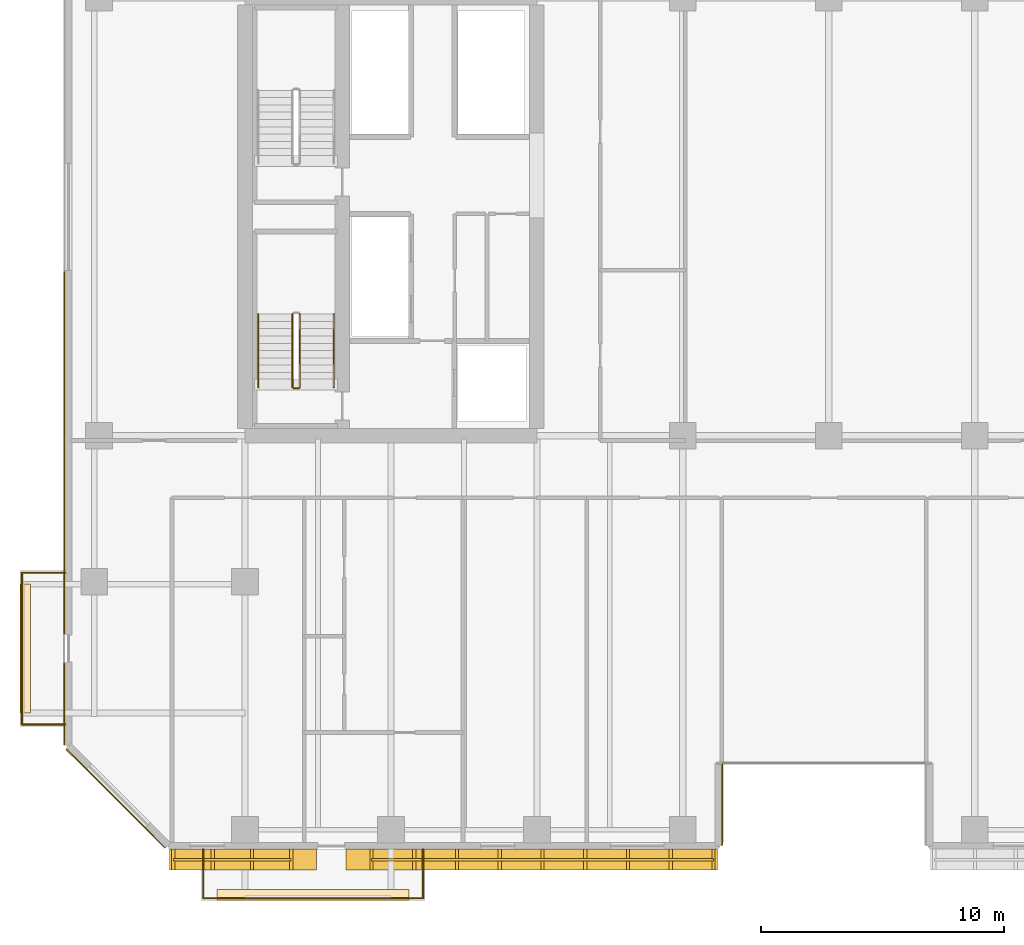
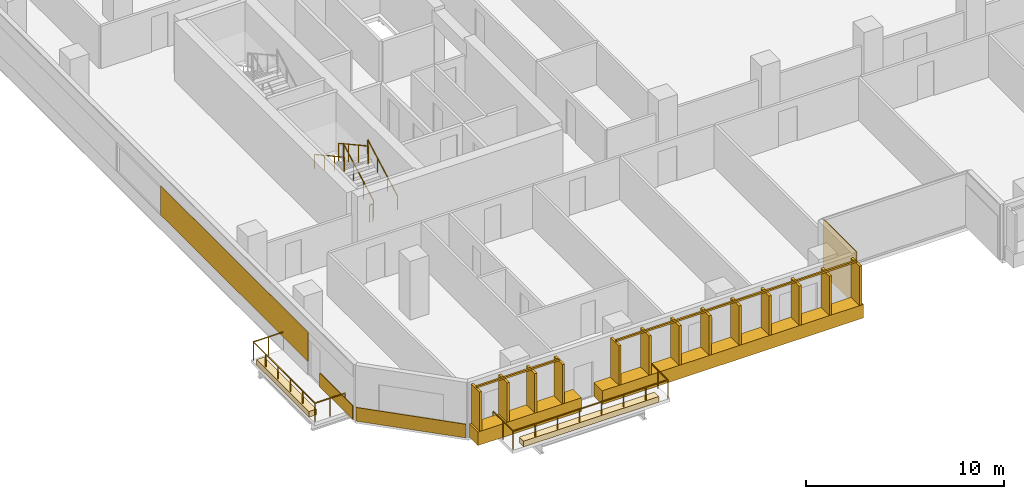
# One storey, part 18 of 26: 9 railings, 8 coverings.
"""IFC4 building model written with IfcOpenShell, lengths in metres."""

from ifc_helpers import new_model, si_unit, direction, frame, origin, origin_2d, place, context, subcontext, project, spatial, polyline, rectangle, outline, extrude, material, layer, layer_set, type_object, element, save


model = new_model("IFC4")

# Units and contexts
model_context = context("Model", 3, precision=1e-05, world=origin(), true_north=direction((0.0, 1.0)))
body_context = subcontext(model_context, "Body", "Model", "MODEL_VIEW")
ifc_project = project(units=[si_unit("LENGTHUNIT", "METRE"), si_unit("AREAUNIT", "SQUARE_METRE"), si_unit("VOLUMEUNIT", "CUBIC_METRE"), si_unit("PLANEANGLEUNIT", "RADIAN"), si_unit("MASSUNIT", "GRAM", prefix="KILO")], contexts=[model_context])

# Site, building, storey
site_placement = place(None, origin())
site = spatial("IfcSite", under=ifc_project, at=site_placement, CompositionType="ELEMENT")
building_placement = place(site_placement, origin())
building = spatial("IfcBuilding", under=site, at=building_placement, Name="Tanjung Sevakor Pilgrim Tower", CompositionType="ELEMENT")
storey_placement = place(building_placement, frame((0.0, 0.0, 66.0)))
storey = spatial("IfcBuildingStorey", under=building, at=storey_placement, Name="L18", CompositionType="ELEMENT", Elevation=66.0)

# Coverings
ifc_material_1 = material(Name="Reconstructed Limestone Cladding", Category="masonry")
ifc_layer_1 = layer(ifc_material_1, 0.044921875)
ifc_layer_set_1 = layer_set([ifc_layer_1], Name="COV-CLAD-LIMESTONE")
covering_type_1 = type_object("IfcCoveringType", Name="COV-CLAD-LIMESTONE", PredefinedType="CLADDING", material=ifc_layer_set_1)
covering_1_placement = place(storey_placement, frame((23.9189453125, 7.169921875, 0.009765625), z_axis=(0.0, 0.0, 1.0), x_axis=(1.0, 0.0, 0.0)))
element("IfcCovering", 1, at=covering_1_placement, inside=storey, type_object=covering_type_1, Name="L18 Warm Limestone Sill Spandrel EW-L18-MAIN-1-1", PredefinedType="CLADDING", context=body_context, shape_type="SweptSolid", body=[
    extrude(rectangle(XDim=6.0419921875, YDim=0.860107421875, at=origin_2d()), origin(), (0.0, 0.0, 1.0), 0.840087890625),
])
covering_2_placement = place(storey_placement, frame((35.7900390625, 7.169921875, 0.009765625), z_axis=(0.0, 0.0, 1.0), x_axis=(1.0, 0.0, 0.0)))
element("IfcCovering", 2, at=covering_2_placement, inside=storey, type_object=covering_type_1, Name="L18 Warm Limestone Sill Spandrel EW-L18-MAIN-1-2", PredefinedType="CLADDING", context=body_context, shape_type="SweptSolid", body=[
    extrude(rectangle(XDim=15.260009765625, YDim=0.860107421875, at=origin_2d()), origin(), (0.0, 0.0, 1.0), 0.840087890625),
])
covering_3_placement = place(storey_placement, frame((43.62255859375, 9.43994140625, 0.02001953125), z_axis=(0.0, 0.0, 1.0), x_axis=(0.0, 1.0, 0.0)))
element("IfcCovering", 3, at=covering_3_placement, inside=storey, type_object=covering_type_1, Name="L18 Warm Limestone Wall Cladding EW-L18-MAIN-2", PredefinedType="CLADDING", context=body_context, shape_type="SweptSolid", body=[
    extrude(rectangle(XDim=3.360107421875, YDim=0.044921875, at=origin_2d()), origin(), (0.0, 0.0, 1.0), 3.3701171875),
])
covering_4_placement = place(storey_placement, frame((16.577392578125, 13.569091796875, 0.009765625), z_axis=(0.0, 0.0, 1.0), x_axis=(0.0, -1.0, 0.0)))
element("IfcCovering", 4, at=covering_4_placement, inside=storey, type_object=covering_type_1, Name="L18 Warm Limestone Sill Spandrel EW-L18-MAIN-15-2", PredefinedType="CLADDING", context=body_context, shape_type="SweptSolid", body=[
    extrude(rectangle(XDim=3.342041015625, YDim=0.044921875, at=origin_2d()), origin(), (0.0, 0.0, 1.0), 0.840087890625),
])
covering_5_placement = place(storey_placement, frame((16.577392578125, 23.89990234375, 0.849853515625), z_axis=(0.0, 0.0, 1.0), x_axis=(0.0, -1.0, 0.0)))
element("IfcCovering", 5, at=covering_5_placement, inside=storey, type_object=covering_type_1, Name="L18 Warm Limestone Pier Panel EW-L18-MAIN-15-2", PredefinedType="CLADDING", context=body_context, shape_type="SweptSolid", body=[
    extrude(rectangle(XDim=14.89990234375, YDim=0.044921875, at=origin_2d()), origin(), (0.0, 0.0, 1.0), 1.81005859375),
])
covering_6_placement = place(storey_placement, frame((18.68408203125, 9.68408203125, 0.009765625), z_axis=(0.0, 0.0, 1.0), x_axis=(0.707106781187, -0.707106781187, 0.0)))
element("IfcCovering", 6, at=covering_6_placement, inside=storey, type_object=covering_type_1, Name="L18 Warm Limestone Sill Spandrel EW-CHM-L18-MAIN-15-1", PredefinedType="CLADDING", context=body_context, shape_type="SweptSolid", body=[
    extrude(rectangle(XDim=5.74365234375, YDim=0.044921875, at=origin_2d()), origin(), (0.0, 0.0, 1.0), 0.840087890625),
])
ifc_material_2 = material(Name="Vegetated Modular Planter Assembly", Category="organic")
ifc_layer_2 = layer(ifc_material_2, 0.35009765625)
ifc_layer_set_2 = layer_set([ifc_layer_2], Name="COV-GRN-TROUGH")
covering_type_2 = type_object("IfcCoveringType", Name="COV-GRN-TROUGH", PredefinedType="CLADDING", material=ifc_layer_set_2)
covering_7_placement = place(storey_placement, origin())
element("IfcCovering", 7, at=covering_7_placement, inside=storey, type_object=covering_type_2, Name="L18 Planted Landscape Hedge Trough BGRN-L18-MAIN-S1", PredefinedType="CLADDING", context=body_context, shape_type="SweptSolid", body=[
    extrude(outline(polyline([(22.85009765625, 5.5), (30.75, 5.5), (30.75, 5.93994140625), (22.85009765625, 5.93994140625), (22.85009765625, 5.5)])), origin(), (0.0, 0.0, 1.0), 0.35009765625),
])
covering_8_placement = place(storey_placement, origin())
element("IfcCovering", 8, at=covering_8_placement, inside=storey, type_object=covering_type_2, Name="L18 Planted Landscape Hedge Trough BGRN-L18-MAIN-W1", PredefinedType="CLADDING", context=body_context, shape_type="SweptSolid", body=[
    extrude(outline(polyline([(15.18994140625, 13.199951171875), (15.18994140625, 18.5), (14.75, 18.5), (14.75, 13.199951171875), (15.18994140625, 13.199951171875)])), origin(), (0.0, 0.0, 1.0), 0.35009765625),
])

# Railings
ifc_material_3 = material(Name="Laminated Glass and Aluminium", Category="aluminium")
railing_type_1 = type_object("IfcRailingType", Name="RL-BAL-BALUST", PredefinedType="BALUSTRADE", material=ifc_material_3)
railing_1_placement = place(storey_placement, frame((22.280029296875, 7.60009765625, 0.0)))
element("IfcRailing", 9, at=railing_1_placement, inside=storey, type_object=railing_type_1, Name="L18 Loggia Balustrade MAIN-S1", PredefinedType="BALUSTRADE", context=body_context, shape_type="SweptSolid", body=[
    extrude(rectangle(XDim=0.0479, YDim=0.0479), frame((0.0, 0.0, 1.1259765625), z_axis=(0.0, -1.0, 0.0), x_axis=(1.0, 0.0, 0.0)), (0.0, 0.0, 1.0), 2.02001953125),
    extrude(rectangle(XDim=0.0479, YDim=0.0479), frame((0.0, -2.02001953125, 1.1259765625), z_axis=(1.0, 0.0, 0.0), x_axis=(0.0, 1.0, 0.0)), (0.0, 0.0, 1.0), 9.0400390625),
    extrude(rectangle(XDim=0.0479, YDim=0.0479), frame((9.0400390625, -2.02001953125, 1.1259765625), z_axis=(0.0, 1.0, 0.0), x_axis=(-1.0, 0.0, 0.0)), (0.0, 0.0, 1.0), 2.02001953125),
    extrude(rectangle(XDim=0.042, YDim=0.042), origin(), (0.0, 0.0, 1.0), 1.101806640625),
    extrude(rectangle(XDim=0.042, YDim=0.042), frame((0.0, -1.010009765625, 0.0)), (0.0, 0.0, 1.0), 1.101806640625),
    extrude(rectangle(XDim=0.042, YDim=0.042), frame((0.0, -2.02001953125, 0.0)), (0.0, 0.0, 1.0), 1.101806640625),
    extrude(rectangle(XDim=0.042, YDim=0.042), frame((1.29150390625, -2.02001953125, 0.0)), (0.0, 0.0, 1.0), 1.101806640625),
    extrude(rectangle(XDim=0.042, YDim=0.042), frame((2.582763671875, -2.02001953125, 0.0)), (0.0, 0.0, 1.0), 1.101806640625),
    extrude(rectangle(XDim=0.042, YDim=0.042), frame((3.874267578125, -2.02001953125, 0.0)), (0.0, 0.0, 1.0), 1.101806640625),
    extrude(rectangle(XDim=0.042, YDim=0.042), frame((5.165771484375, -2.02001953125, 0.0)), (0.0, 0.0, 1.0), 1.101806640625),
    extrude(rectangle(XDim=0.042, YDim=0.042), frame((6.457275390625, -2.02001953125, 0.0)), (0.0, 0.0, 1.0), 1.101806640625),
    extrude(rectangle(XDim=0.042, YDim=0.042), frame((7.74853515625, -2.02001953125, 0.0)), (0.0, 0.0, 1.0), 1.101806640625),
    extrude(rectangle(XDim=0.042, YDim=0.042), frame((9.0400390625, -2.02001953125, 0.0)), (0.0, 0.0, 1.0), 1.101806640625),
    extrude(rectangle(XDim=0.042, YDim=0.042), frame((9.0400390625, -1.010009765625, 0.0)), (0.0, 0.0, 1.0), 1.101806640625),
    extrude(rectangle(XDim=0.042, YDim=0.042), frame((9.0400390625, 0.0, 0.0)), (0.0, 0.0, 1.0), 1.101806640625),
])
railing_2_placement = place(storey_placement, frame((16.60009765625, 12.72998046875, 0.0)))
element("IfcRailing", 10, at=railing_2_placement, inside=storey, type_object=railing_type_1, Name="L18 Loggia Balustrade MAIN-W1", PredefinedType="BALUSTRADE", context=body_context, shape_type="SweptSolid", body=[
    extrude(rectangle(XDim=0.0479, YDim=0.0479), frame((0.0, 0.0, 1.1259765625), z_axis=(-1.0, 0.0, 0.0), x_axis=(0.0, -1.0, 0.0)), (0.0, 0.0, 1.0), 1.77001953125),
    extrude(rectangle(XDim=0.0479, YDim=0.0479), frame((-1.77001953125, 0.0, 1.1259765625), z_axis=(0.0, 1.0, 0.0), x_axis=(-1.0, 0.0, 0.0)), (0.0, 0.0, 1.0), 6.239990234375),
    extrude(rectangle(XDim=0.0479, YDim=0.0479), frame((-1.77001953125, 6.239990234375, 1.1259765625), z_axis=(1.0, 0.0, 0.0), x_axis=(0.0, 1.0, 0.0)), (0.0, 0.0, 1.0), 1.77001953125),
    extrude(rectangle(XDim=0.042, YDim=0.042), origin(), (0.0, 0.0, 1.0), 1.101806640625),
    extrude(rectangle(XDim=0.042, YDim=0.042), frame((-0.885009765625, 0.0, 0.0)), (0.0, 0.0, 1.0), 1.101806640625),
    extrude(rectangle(XDim=0.042, YDim=0.042), frame((-1.77001953125, 0.0, 0.0)), (0.0, 0.0, 1.0), 1.101806640625),
    extrude(rectangle(XDim=0.042, YDim=0.042), frame((-1.77001953125, 1.248046875, 0.0)), (0.0, 0.0, 1.0), 1.101806640625),
    extrude(rectangle(XDim=0.042, YDim=0.042), frame((-1.77001953125, 2.49609375, 0.0)), (0.0, 0.0, 1.0), 1.101806640625),
    extrude(rectangle(XDim=0.042, YDim=0.042), frame((-1.77001953125, 3.743896484375, 0.0)), (0.0, 0.0, 1.0), 1.101806640625),
    extrude(rectangle(XDim=0.042, YDim=0.042), frame((-1.77001953125, 4.991943359375, 0.0)), (0.0, 0.0, 1.0), 1.101806640625),
    extrude(rectangle(XDim=0.042, YDim=0.042), frame((-1.77001953125, 6.239990234375, 0.0)), (0.0, 0.0, 1.0), 1.101806640625),
    extrude(rectangle(XDim=0.042, YDim=0.042), frame((-0.885009765625, 6.239990234375, 0.0)), (0.0, 0.0, 1.0), 1.101806640625),
    extrude(rectangle(XDim=0.042, YDim=0.042), frame((0.0, 6.239990234375, 0.0)), (0.0, 0.0, 1.0), 1.101806640625),
])
ifc_material_4 = material(Name="Anodised Bronze Aluminium 6063-T6", Category="aluminium")
railing_type_2 = type_object("IfcRailingType", Name="RL-FIN-SCREEN", PredefinedType="BALUSTRADE", material=ifc_material_4)
railing_3_placement = place(storey_placement, frame((21.05810546875, 7.175048828125, 0.840087890625)))
element("IfcRailing", 11, at=railing_3_placement, inside=storey, type_object=railing_type_2, Name="L18 Vertical Bronze-Gold Solar Fin Screen FNSCR-EW-L18-MAIN-1-1", PredefinedType="BALUSTRADE", context=body_context, shape_type="SweptSolid", body=[
    extrude(rectangle(XDim=0.105, YDim=0.105), frame((0.0, 0.0, 2.487548828125), z_axis=(1.0, 0.0, 0.0), x_axis=(0.0, 1.0, 0.0)), (0.0, 0.0, 1.0), 4.841796875),
    extrude(rectangle(XDim=0.14, YDim=0.85), origin(), (0.0, 0.0, 1.0), 2.43505859375),
    extrude(rectangle(XDim=0.14, YDim=0.85), frame((1.614013671875, 0.0, 0.0)), (0.0, 0.0, 1.0), 2.43505859375),
    extrude(rectangle(XDim=0.14, YDim=0.85), frame((3.227783203125, 0.0, 0.0)), (0.0, 0.0, 1.0), 2.43505859375),
    extrude(rectangle(XDim=0.14, YDim=0.85), frame((4.841796875, 0.0, 0.0)), (0.0, 0.0, 1.0), 2.43505859375),
])
railing_4_placement = place(storey_placement, frame((29.199951171875, 7.175048828125, 0.840087890625)))
element("IfcRailing", 12, at=railing_4_placement, inside=storey, type_object=railing_type_2, Name="L18 Vertical Bronze-Gold Solar Fin Screen FNSCR-EW-L18-MAIN-1-2", PredefinedType="BALUSTRADE", context=body_context, shape_type="SweptSolid", body=[
    extrude(rectangle(XDim=0.105, YDim=0.105), frame((0.0, 0.0, 2.487548828125), z_axis=(1.0, 0.0, 0.0), x_axis=(0.0, 1.0, 0.0)), (0.0, 0.0, 1.0), 14.06005859375),
    extrude(rectangle(XDim=0.14, YDim=0.85), origin(), (0.0, 0.0, 1.0), 2.43505859375),
    extrude(rectangle(XDim=0.14, YDim=0.85), frame((1.757568359375, 0.0, 0.0)), (0.0, 0.0, 1.0), 2.43505859375),
    extrude(rectangle(XDim=0.14, YDim=0.85), frame((3.51513671875, 0.0, 0.0)), (0.0, 0.0, 1.0), 2.43505859375),
    extrude(rectangle(XDim=0.14, YDim=0.85), frame((5.2724609375, 0.0, 0.0)), (0.0, 0.0, 1.0), 2.43505859375),
    extrude(rectangle(XDim=0.14, YDim=0.85), frame((7.030029296875, 0.0, 0.0)), (0.0, 0.0, 1.0), 2.43505859375),
    extrude(rectangle(XDim=0.14, YDim=0.85), frame((8.78759765625, 0.0, 0.0)), (0.0, 0.0, 1.0), 2.43505859375),
    extrude(rectangle(XDim=0.14, YDim=0.85), frame((10.544921875, 0.0, 0.0)), (0.0, 0.0, 1.0), 2.43505859375),
    extrude(rectangle(XDim=0.14, YDim=0.85), frame((12.302490234375, 0.0, 0.0)), (0.0, 0.0, 1.0), 2.43505859375),
    extrude(rectangle(XDim=0.14, YDim=0.85), frame((14.06005859375, 0.0, 0.0)), (0.0, 0.0, 1.0), 2.43505859375),
])
ifc_material_5 = material(Name="Steel S355J2", Category="steel")
railing_type_3 = type_object("IfcRailingType", Name="RL-STAIR-GUARD", PredefinedType="GUARDRAIL", material=ifc_material_5)
railing_5_placement = place(storey_placement, frame((26.25, 26.60009765625, 0.1650390625)))
element("IfcRailing", 13, at=railing_5_placement, inside=storey, type_object=railing_type_3, Name="L18 TS-W1 stair guard 1", PredefinedType="GUARDRAIL", context=body_context, shape_type="SweptSolid", body=[
    extrude(rectangle(XDim=0.0479, YDim=0.0479), frame((0.0, 0.0, 1.076171875), z_axis=(0.0, 0.876227952683, 0.48189685093), x_axis=(-1.0, 0.0, 0.0)), (0.0, 0.0, 1.0), 3.423828125),
    extrude(rectangle(XDim=0.042, YDim=0.042), origin(), (0.0, 0.0, 1.0), 1.052001953125),
    extrude(rectangle(XDim=0.042, YDim=0.042), frame((0.0, 1.0, 0.550048828125)), (0.0, 0.0, 1.0), 1.052001953125),
    extrude(rectangle(XDim=0.042, YDim=0.042), frame((0.0, 2.0, 1.099853515625)), (0.0, 0.0, 1.0), 1.052001953125),
    extrude(rectangle(XDim=0.042, YDim=0.042), frame((0.0, 3.0, 1.64990234375)), (0.0, 0.0, 1.0), 1.052001953125),
])
railing_6_placement = place(storey_placement, frame((25.949951171875, 29.60009765625, 1.97998046875)))
element("IfcRailing", 14, at=railing_6_placement, inside=storey, type_object=railing_type_3, Name="L18 TS-W1 stair guard 3", PredefinedType="GUARDRAIL", context=body_context, shape_type="SweptSolid", body=[
    extrude(rectangle(XDim=0.0479, YDim=0.0479), frame((0.0, 0.0, 1.076171875), z_axis=(0.0, -0.876227952683, 0.48189685093), x_axis=(1.0, 0.0, 0.0)), (0.0, 0.0, 1.0), 3.423828125),
    extrude(rectangle(XDim=0.042, YDim=0.042), origin(), (0.0, 0.0, 1.0), 1.052001953125),
    extrude(rectangle(XDim=0.042, YDim=0.042), frame((0.0, -1.0, 0.550048828125)), (0.0, 0.0, 1.0), 1.052001953125),
    extrude(rectangle(XDim=0.042, YDim=0.042), frame((0.0, -2.0, 1.099853515625)), (0.0, 0.0, 1.0), 1.052001953125),
    extrude(rectangle(XDim=0.042, YDim=0.042), frame((0.0, -3.0, 1.64990234375)), (0.0, 0.0, 1.0), 1.052001953125),
])
railing_7_placement = place(storey_placement, frame((26.199951171875, 26.550048828125, 0.0)))
element("IfcRailing", 15, at=railing_7_placement, inside=storey, type_object=railing_type_3, Name="L18 TS-W1 stair guard 4", PredefinedType="GUARDRAIL", context=body_context, shape_type="SweptSolid", body=[
    extrude(rectangle(XDim=0.0479, YDim=0.0479), frame((0.0, 0.0, 1.076171875), z_axis=(-1.0, 0.0, 0.0), x_axis=(0.0, -1.0, 0.0)), (0.0, 0.0, 1.0), 0.199951171875),
    extrude(rectangle(XDim=0.042, YDim=0.042), origin(), (0.0, 0.0, 1.0), 1.052001953125),
    extrude(rectangle(XDim=0.042, YDim=0.042), frame((-0.199951171875, 0.0, 0.0)), (0.0, 0.0, 1.0), 1.052001953125),
])
ifc_material_6 = material(Name="Steel S355J2", Category="steel")
railing_type_4 = type_object("IfcRailingType", Name="RL-STAIR-HAND", PredefinedType="HANDRAIL", material=ifc_material_6)
railing_8_placement = place(storey_placement, frame((27.64990234375, 26.60009765625, 0.1650390625)))
element("IfcRailing", 16, at=railing_8_placement, inside=storey, type_object=railing_type_4, Name="L18 TS-W1 stair handrail 1", PredefinedType="HANDRAIL", context=body_context, shape_type="SweptSolid", body=[
    extrude(rectangle(XDim=0.0479, YDim=0.0479), frame((0.0, 0.0, 0.8759765625), z_axis=(0.0, 0.876227952683, 0.48189685093), x_axis=(-1.0, 0.0, 0.0)), (0.0, 0.0, 1.0), 3.423828125),
    extrude(rectangle(XDim=0.042, YDim=0.042), origin(), (0.0, 0.0, 1.0), 0.851806640625),
    extrude(rectangle(XDim=0.042, YDim=0.042), frame((0.0, 1.0, 0.550048828125)), (0.0, 0.0, 1.0), 0.851806640625),
    extrude(rectangle(XDim=0.042, YDim=0.042), frame((0.0, 2.0, 1.099853515625)), (0.0, 0.0, 1.0), 0.851806640625),
    extrude(rectangle(XDim=0.042, YDim=0.042), frame((0.0, 3.0, 1.64990234375)), (0.0, 0.0, 1.0), 0.851806640625),
])
railing_9_placement = place(storey_placement, frame((24.550048828125, 29.60009765625, 1.97998046875)))
element("IfcRailing", 17, at=railing_9_placement, inside=storey, type_object=railing_type_4, Name="L18 TS-W1 stair handrail 2", PredefinedType="HANDRAIL", context=body_context, shape_type="SweptSolid", body=[
    extrude(rectangle(XDim=0.0479, YDim=0.0479), frame((0.0, 0.0, 0.8759765625), z_axis=(0.0, -0.876227952683, 0.48189685093), x_axis=(1.0, 0.0, 0.0)), (0.0, 0.0, 1.0), 3.423828125),
    extrude(rectangle(XDim=0.042, YDim=0.042), origin(), (0.0, 0.0, 1.0), 0.851806640625),
    extrude(rectangle(XDim=0.042, YDim=0.042), frame((0.0, -1.0, 0.550048828125)), (0.0, 0.0, 1.0), 0.851806640625),
    extrude(rectangle(XDim=0.042, YDim=0.042), frame((0.0, -2.0, 1.099853515625)), (0.0, 0.0, 1.0), 0.851806640625),
    extrude(rectangle(XDim=0.042, YDim=0.042), frame((0.0, -3.0, 1.64990234375)), (0.0, 0.0, 1.0), 0.851806640625),
])

save(model, "model.ifc")
